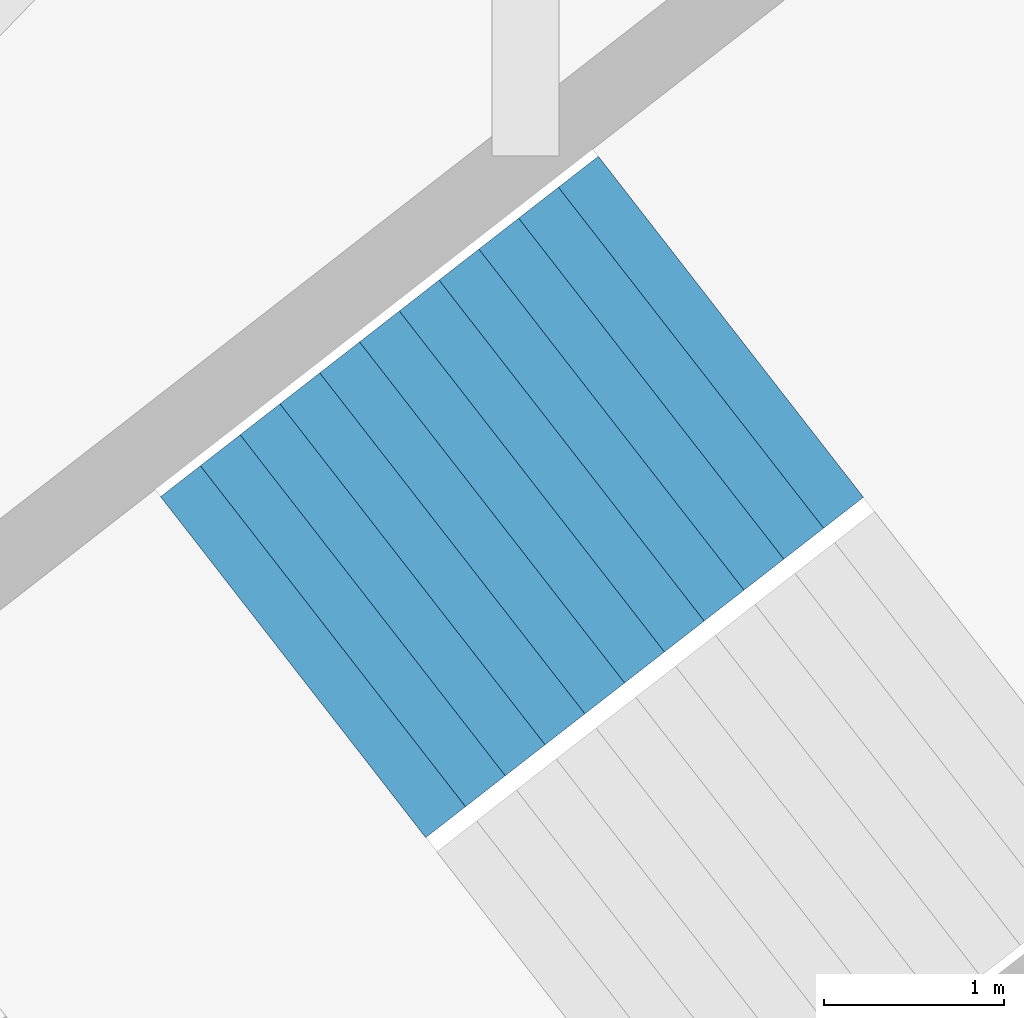
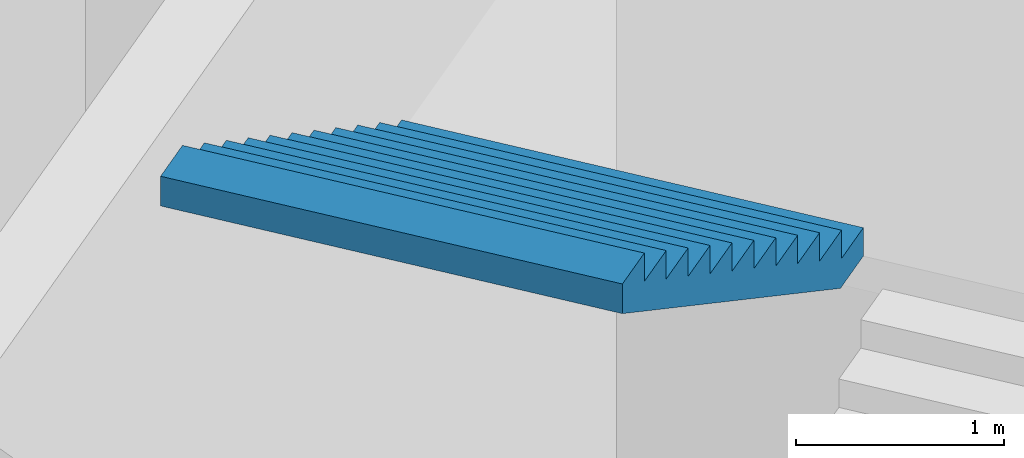
# One storey, part 65 of 74: 1 stair flight, 1 element without a shape of its own.
"""IFC4 building model written with IfcOpenShell, lengths in metres."""

from ifc_helpers import new_model, si_unit, direction, frame, origin, place, context, subcontext, project, spatial, triangles, material, type_object, element, aggregate, save


model = new_model("IFC4")

# Units and contexts
model_context = context("Model", 3, precision=1e-05, world=origin(), true_north=direction((0.0, 1.0)))
body_context = subcontext(model_context, "Body", "Model", "MODEL_VIEW")
ifc_project = project(units=[si_unit("LENGTHUNIT", "METRE"), si_unit("AREAUNIT", "SQUARE_METRE"), si_unit("VOLUMEUNIT", "CUBIC_METRE"), si_unit("PLANEANGLEUNIT", "RADIAN"), si_unit("MASSUNIT", "GRAM", prefix="KILO")], contexts=[model_context])

# Site, building, storey
site_placement = place(None, origin())
site = spatial("IfcSite", under=ifc_project, at=site_placement, CompositionType="ELEMENT")
building_placement = place(site_placement, origin())
building = spatial("IfcBuilding", under=site, at=building_placement, Name="Lantaw Convention Tower", CompositionType="ELEMENT")
storey_placement = place(building_placement, frame((0.0, 0.0, 6.5)))
storey = spatial("IfcBuildingStorey", under=building, at=storey_placement, Name="L01", CompositionType="ELEMENT", Elevation=6.5)

# Stair, stair flight
ifc_material = material(Name="Concrete C35/45", Category="concrete")
stair_type = type_object("IfcStairType", Name="Exit stair 2400 riser 166.67 in 4 flights", PredefinedType="HALF_TURN_STAIR", material=ifc_material)
stair_placement = place(storey_placement, origin())
stair = element("IfcStair", 1, at=stair_placement, inside=storey, type_object=stair_type, Name="Podium exit stair P3 L01", PredefinedType="HALF_TURN_STAIR")
stair_flight_type = type_object("IfcStairFlightType", Name="Stair flight 2400 riser 166.67", PredefinedType="STRAIGHT", material=ifc_material)
stair_flight_placement = place(storey_placement, frame((30.390869140625, 25.21875, 6.0), z_axis=(0.0, 0.0, 1.0), x_axis=(-0.789378829664, -0.613906396186, 0.0)))
stair_flight = element("IfcStairFlight", 2, at=stair_flight_placement, type_object=stair_flight_type, Name="P3 flight 4", NumberOfRisers=12, NumberOfTreads=11, PredefinedType="STRAIGHT", RiserHeight=0.166666667, TreadLength=0.28, context=body_context, shape_type="Tessellation", body=[
    triangles([(0.0, 1.199951171875, 0.0), (0.0, 1.199951171875, 0.166666667), (0.28, 1.199951171875, 0.0), (0.28, 1.199951171875, 0.166666667), (0.28, 1.199951171875, 0.333333334), (0.29307345806906726, 1.199951171875, 0.0), (0.29307345806906726, 1.199951171875, 0.333333334), (0.56, 1.199951171875, 0.15888484670522965), (0.56, 1.199951171875, 0.333333334), (0.56, 1.199951171875, 0.500000001), (0.8400000000000001, 1.199951171875, 0.3255515137052296), (0.8400000000000001, 1.199951171875, 0.500000001), (0.8400000000000001, 1.199951171875, 0.666666668), (1.12, 1.199951171875, 0.4922181807052296), (1.12, 1.199951171875, 0.666666668), (1.12, 1.199951171875, 0.833333335), (1.4000000000000001, 1.199951171875, 0.6588848477052296), (1.4000000000000001, 1.199951171875, 0.833333335), (1.4000000000000001, 1.199951171875, 1.000000002), (1.6800000000000002, 1.199951171875, 0.8255515147052296), (1.6800000000000002, 1.199951171875, 1.000000002), (1.6800000000000002, 1.199951171875, 1.166666669), (1.9600000000000002, 1.199951171875, 0.9922181817052296), (1.9600000000000002, 1.199951171875, 1.166666669), (1.9600000000000002, 1.199951171875, 1.333333336), (2.24, 1.199951171875, 1.1588848487052295), (2.24, 1.199951171875, 1.333333336), (2.24, 1.199951171875, 1.5000000029999998), (2.5200000000000005, 1.199951171875, 1.3255515157052296), (2.5200000000000005, 1.199951171875, 1.5000000029999998), (2.5200000000000005, 1.199951171875, 1.66666667), (2.8000000000000003, 1.199951171875, 1.4922181827052294), (2.8000000000000003, 1.199951171875, 1.66666667), (2.8000000000000003, 1.199951171875, 1.833333337), (3.08, 1.199951171875, 1.6588848497052293), (3.08, 1.199951171875, 1.833333337), (0.0, -1.199951171875, 0.0), (0.0, -1.199951171875, 0.166666667), (0.28, -1.199951171875, 0.0), (0.28, -1.199951171875, 0.166666667), (0.28, -1.199951171875, 0.333333334), (0.29307345806906726, -1.199951171875, 0.0), (0.29307345806906726, -1.199951171875, 0.333333334), (0.56, -1.199951171875, 0.15888484670522965), (0.56, -1.199951171875, 0.333333334), (0.56, -1.199951171875, 0.500000001), (0.8400000000000001, -1.199951171875, 0.3255515137052296), (0.8400000000000001, -1.199951171875, 0.500000001), (0.8400000000000001, -1.199951171875, 0.666666668), (1.12, -1.199951171875, 0.4922181807052296), (1.12, -1.199951171875, 0.666666668), (1.12, -1.199951171875, 0.833333335), (1.4000000000000001, -1.199951171875, 0.6588848477052296), (1.4000000000000001, -1.199951171875, 0.833333335), (1.4000000000000001, -1.199951171875, 1.000000002), (1.6800000000000002, -1.199951171875, 0.8255515147052296), (1.6800000000000002, -1.199951171875, 1.000000002), (1.6800000000000002, -1.199951171875, 1.166666669), (1.9600000000000002, -1.199951171875, 0.9922181817052296), (1.9600000000000002, -1.199951171875, 1.166666669), (1.9600000000000002, -1.199951171875, 1.333333336), (2.24, -1.199951171875, 1.1588848487052295), (2.24, -1.199951171875, 1.333333336), (2.24, -1.199951171875, 1.5000000029999998), (2.5200000000000005, -1.199951171875, 1.3255515157052296), (2.5200000000000005, -1.199951171875, 1.5000000029999998), (2.5200000000000005, -1.199951171875, 1.66666667), (2.8000000000000003, -1.199951171875, 1.4922181827052294), (2.8000000000000003, -1.199951171875, 1.66666667), (2.8000000000000003, -1.199951171875, 1.833333337), (3.08, -1.199951171875, 1.6588848497052293), (3.08, -1.199951171875, 1.833333337), (0.0, 0.239990234375, 0.166666667), (0.0, 0.239990234375, 0.0), (0.0, 0.1199951171875, 0.166666667), (0.0, 0.1199951171875, 0.0), (0.0, 0.0, 0.166666667), (0.0, 0.0, 0.0), (0.0, -0.1199951171875, 0.166666667), (0.0, -0.1199951171875, 0.0), (0.0, -0.239990234375, 0.166666667), (0.0, -0.239990234375, 0.0), (0.28, 0.239990234375, 0.333333334), (0.28, 0.239990234375, 0.166666667), (0.28, 0.1199951171875, 0.333333334), (0.28, 0.1199951171875, 0.166666667), (0.28, 0.0, 0.333333334), (0.28, 0.0, 0.166666667), (0.28, -0.1199951171875, 0.333333334), (0.28, -0.1199951171875, 0.166666667), (0.28, -0.239990234375, 0.333333334), (0.28, -0.239990234375, 0.166666667), (0.56, 0.239990234375, 0.500000001), (0.56, 0.239990234375, 0.333333334), (0.56, 0.1199951171875, 0.500000001), (0.56, 0.1199951171875, 0.333333334), (0.56, 0.0, 0.500000001), (0.56, 0.0, 0.333333334), (0.56, -0.1199951171875, 0.500000001), (0.56, -0.1199951171875, 0.333333334), (0.56, -0.239990234375, 0.500000001), (0.56, -0.239990234375, 0.333333334), (0.8400000000000001, 0.239990234375, 0.666666668), (0.8400000000000001, 0.239990234375, 0.500000001), (0.8400000000000001, 0.1199951171875, 0.666666668), (0.8400000000000001, 0.1199951171875, 0.500000001), (0.8400000000000001, 0.0, 0.666666668), (0.8400000000000001, 0.0, 0.500000001), (0.8400000000000001, -0.1199951171875, 0.666666668), (0.8400000000000001, -0.1199951171875, 0.500000001), (0.8400000000000001, -0.239990234375, 0.666666668), (0.8400000000000001, -0.239990234375, 0.500000001), (1.12, 0.239990234375, 0.833333335), (1.12, 0.239990234375, 0.666666668), (1.12, 0.1199951171875, 0.833333335), (1.12, 0.1199951171875, 0.666666668), (1.12, 0.0, 0.833333335), (1.12, 0.0, 0.666666668), (1.12, -0.1199951171875, 0.833333335), (1.12, -0.1199951171875, 0.666666668), (1.12, -0.239990234375, 0.833333335), (1.12, -0.239990234375, 0.666666668), (1.4000000000000001, 0.239990234375, 1.000000002), (1.4000000000000001, 0.239990234375, 0.833333335), (1.4000000000000001, 0.1199951171875, 1.000000002), (1.4000000000000001, 0.1199951171875, 0.833333335), (1.4000000000000001, 0.0, 1.000000002), (1.4000000000000001, 0.0, 0.833333335), (1.4000000000000001, -0.1199951171875, 1.000000002), (1.4000000000000001, -0.1199951171875, 0.833333335), (1.4000000000000001, -0.239990234375, 1.000000002), (1.4000000000000001, -0.239990234375, 0.833333335), (1.6800000000000002, 0.239990234375, 1.166666669), (1.6800000000000002, 0.239990234375, 1.000000002), (1.6800000000000002, 0.1199951171875, 1.166666669), (1.6800000000000002, 0.1199951171875, 1.000000002), (1.6800000000000002, 0.0, 1.166666669), (1.6800000000000002, 0.0, 1.000000002), (1.6800000000000002, -0.1199951171875, 1.166666669), (1.6800000000000002, -0.1199951171875, 1.000000002), (1.6800000000000002, -0.239990234375, 1.166666669), (1.6800000000000002, -0.239990234375, 1.000000002), (1.9600000000000002, 0.239990234375, 1.333333336), (1.9600000000000002, 0.239990234375, 1.166666669), (1.9600000000000002, 0.1199951171875, 1.333333336), (1.9600000000000002, 0.1199951171875, 1.166666669), (1.9600000000000002, 0.0, 1.333333336), (1.9600000000000002, 0.0, 1.166666669), (1.9600000000000002, -0.1199951171875, 1.333333336), (1.9600000000000002, -0.1199951171875, 1.166666669), (1.9600000000000002, -0.239990234375, 1.333333336), (1.9600000000000002, -0.239990234375, 1.166666669), (2.24, 0.239990234375, 1.5000000029999998), (2.24, 0.239990234375, 1.333333336), (2.24, 0.1199951171875, 1.5000000029999998), (2.24, 0.1199951171875, 1.333333336), (2.24, 0.0, 1.5000000029999998), (2.24, 0.0, 1.333333336), (2.24, -0.1199951171875, 1.5000000029999998), (2.24, -0.1199951171875, 1.333333336), (2.24, -0.239990234375, 1.5000000029999998), (2.24, -0.239990234375, 1.333333336), (2.5200000000000005, 0.239990234375, 1.66666667), (2.5200000000000005, 0.239990234375, 1.5000000029999998), (2.5200000000000005, 0.1199951171875, 1.66666667), (2.5200000000000005, 0.1199951171875, 1.5000000029999998), (2.5200000000000005, 0.0, 1.66666667), (2.5200000000000005, 0.0, 1.5000000029999998), (2.5200000000000005, -0.1199951171875, 1.66666667), (2.5200000000000005, -0.1199951171875, 1.5000000029999998), (2.5200000000000005, -0.239990234375, 1.66666667), (2.5200000000000005, -0.239990234375, 1.5000000029999998), (2.8000000000000003, 0.239990234375, 1.833333337), (2.8000000000000003, 0.239990234375, 1.66666667), (2.8000000000000003, 0.1199951171875, 1.833333337), (2.8000000000000003, 0.1199951171875, 1.66666667), (2.8000000000000003, 0.0, 1.833333337), (2.8000000000000003, 0.0, 1.66666667), (2.8000000000000003, -0.1199951171875, 1.833333337), (2.8000000000000003, -0.1199951171875, 1.66666667), (2.8000000000000003, -0.239990234375, 1.833333337), (2.8000000000000003, -0.239990234375, 1.66666667), (0.29307345806906726, 0.239990234375, 0.333333334), (0.29307345806906726, 0.1199951171875, 0.333333334), (0.29307345806906726, 0.0, 0.333333334), (0.29307345806906726, -0.1199951171875, 0.333333334), (0.29307345806906726, -0.239990234375, 0.333333334), (3.08, 0.239990234375, 1.833333337), (3.08, 0.1199951171875, 1.833333337), (3.08, 0.0, 1.833333337), (3.08, -0.1199951171875, 1.833333337), (3.08, -0.239990234375, 1.833333337), (3.08, 0.239990234375, 1.6588848497052293), (3.08, 0.1199951171875, 1.6588848497052293), (3.08, 0.0, 1.6588848497052293), (3.08, -0.1199951171875, 1.6588848497052293), (3.08, -0.239990234375, 1.6588848497052293), (2.8000000000000003, 0.239990234375, 1.4922181827052294), (2.8000000000000003, 0.1199951171875, 1.4922181827052294), (2.8000000000000003, 0.0, 1.4922181827052294), (2.8000000000000003, -0.1199951171875, 1.4922181827052294), (2.8000000000000003, -0.239990234375, 1.4922181827052294), (2.5200000000000005, 0.239990234375, 1.3255515157052296), (2.5200000000000005, 0.1199951171875, 1.3255515157052296), (2.5200000000000005, 0.0, 1.3255515157052296), (2.5200000000000005, -0.1199951171875, 1.3255515157052296), (2.5200000000000005, -0.239990234375, 1.3255515157052296), (2.24, 0.239990234375, 1.1588848487052295), (2.24, 0.1199951171875, 1.1588848487052295), (2.24, 0.0, 1.1588848487052295), (2.24, -0.1199951171875, 1.1588848487052295), (2.24, -0.239990234375, 1.1588848487052295), (1.9600000000000002, 0.239990234375, 0.9922181817052296), (1.9600000000000002, 0.1199951171875, 0.9922181817052296), (1.9600000000000002, 0.0, 0.9922181817052296), (1.9600000000000002, -0.1199951171875, 0.9922181817052296), (1.9600000000000002, -0.239990234375, 0.9922181817052296), (1.6800000000000002, 0.239990234375, 0.8255515147052296), (1.6800000000000002, 0.1199951171875, 0.8255515147052296), (1.6800000000000002, 0.0, 0.8255515147052296), (1.6800000000000002, -0.1199951171875, 0.8255515147052296), (1.6800000000000002, -0.239990234375, 0.8255515147052296), (1.4000000000000001, 0.239990234375, 0.6588848477052296), (1.4000000000000001, 0.1199951171875, 0.6588848477052296), (1.4000000000000001, 0.0, 0.6588848477052296), (1.4000000000000001, -0.1199951171875, 0.6588848477052296), (1.4000000000000001, -0.239990234375, 0.6588848477052296), (1.12, 0.239990234375, 0.4922181807052296), (1.12, 0.1199951171875, 0.4922181807052296), (1.12, 0.0, 0.4922181807052296), (1.12, -0.1199951171875, 0.4922181807052296), (1.12, -0.239990234375, 0.4922181807052296), (0.8400000000000001, 0.239990234375, 0.3255515137052296), (0.8400000000000001, 0.1199951171875, 0.3255515137052296), (0.8400000000000001, 0.0, 0.3255515137052296), (0.8400000000000001, -0.1199951171875, 0.3255515137052296), (0.8400000000000001, -0.239990234375, 0.3255515137052296), (0.56, 0.239990234375, 0.15888484670522965), (0.56, 0.1199951171875, 0.15888484670522965), (0.56, 0.0, 0.15888484670522965), (0.56, -0.1199951171875, 0.15888484670522965), (0.56, -0.239990234375, 0.15888484670522965), (0.29307345806906726, 0.239990234375, 0.0), (0.29307345806906726, 0.1199951171875, 0.0), (0.29307345806906726, 0.0, 0.0), (0.29307345806906726, -0.1199951171875, 0.0), (0.29307345806906726, -0.239990234375, 0.0), (0.28, 0.239990234375, 0.0), (0.28, 0.1199951171875, 0.0), (0.28, 0.0, 0.0), (0.28, -0.1199951171875, 0.0), (0.28, -0.239990234375, 0.0)], [[1, 4, 3], [1, 2, 4], [3, 4, 6], [4, 7, 6], [4, 5, 7], [6, 9, 8], [6, 7, 9], [8, 9, 11], [9, 12, 11], [9, 10, 12], [11, 12, 14], [12, 15, 14], [12, 13, 15], [14, 15, 17], [15, 18, 17], [15, 16, 18], [17, 18, 20], [18, 21, 20], [18, 19, 21], [20, 21, 23], [21, 24, 23], [21, 22, 24], [23, 24, 26], [24, 27, 26], [24, 25, 27], [26, 27, 29], [27, 30, 29], [27, 28, 30], [29, 30, 32], [30, 33, 32], [30, 31, 33], [32, 33, 35], [33, 36, 35], [33, 34, 36], [37, 39, 40], [37, 40, 38], [39, 42, 40], [40, 42, 43], [40, 43, 41], [42, 44, 45], [42, 45, 43], [44, 47, 45], [45, 47, 48], [45, 48, 46], [47, 50, 48], [48, 50, 51], [48, 51, 49], [50, 53, 51], [51, 53, 54], [51, 54, 52], [53, 56, 54], [54, 56, 57], [54, 57, 55], [56, 59, 57], [57, 59, 60], [57, 60, 58], [59, 62, 60], [60, 62, 63], [60, 63, 61], [62, 65, 63], [63, 65, 66], [63, 66, 64], [65, 68, 66], [66, 68, 69], [66, 69, 67], [68, 71, 69], [69, 71, 72], [69, 72, 70], [1, 73, 2], [1, 74, 73], [74, 75, 73], [74, 76, 75], [76, 77, 75], [76, 78, 77], [78, 79, 77], [78, 80, 79], [80, 81, 79], [80, 82, 81], [82, 38, 81], [82, 37, 38], [4, 83, 5], [4, 84, 83], [84, 85, 83], [84, 86, 85], [86, 87, 85], [86, 88, 87], [88, 89, 87], [88, 90, 89], [90, 91, 89], [90, 92, 91], [92, 41, 91], [92, 40, 41], [9, 93, 10], [9, 94, 93], [94, 95, 93], [94, 96, 95], [96, 97, 95], [96, 98, 97], [98, 99, 97], [98, 100, 99], [100, 101, 99], [100, 102, 101], [102, 46, 101], [102, 45, 46], [12, 103, 13], [12, 104, 103], [104, 105, 103], [104, 106, 105], [106, 107, 105], [106, 108, 107], [108, 109, 107], [108, 110, 109], [110, 111, 109], [110, 112, 111], [112, 49, 111], [112, 48, 49], [15, 113, 16], [15, 114, 113], [114, 115, 113], [114, 116, 115], [116, 117, 115], [116, 118, 117], [118, 119, 117], [118, 120, 119], [120, 121, 119], [120, 122, 121], [122, 52, 121], [122, 51, 52], [18, 123, 19], [18, 124, 123], [124, 125, 123], [124, 126, 125], [126, 127, 125], [126, 128, 127], [128, 129, 127], [128, 130, 129], [130, 131, 129], [130, 132, 131], [132, 55, 131], [132, 54, 55], [21, 133, 22], [21, 134, 133], [134, 135, 133], [134, 136, 135], [136, 137, 135], [136, 138, 137], [138, 139, 137], [138, 140, 139], [140, 141, 139], [140, 142, 141], [142, 58, 141], [142, 57, 58], [24, 143, 25], [24, 144, 143], [144, 145, 143], [144, 146, 145], [146, 147, 145], [146, 148, 147], [148, 149, 147], [148, 150, 149], [150, 151, 149], [150, 152, 151], [152, 61, 151], [152, 60, 61], [27, 153, 28], [27, 154, 153], [154, 155, 153], [154, 156, 155], [156, 157, 155], [156, 158, 157], [158, 159, 157], [158, 160, 159], [160, 161, 159], [160, 162, 161], [162, 64, 161], [162, 63, 64], [30, 163, 31], [30, 164, 163], [164, 165, 163], [164, 166, 165], [166, 167, 165], [166, 168, 167], [168, 169, 167], [168, 170, 169], [170, 171, 169], [170, 172, 171], [172, 67, 171], [172, 66, 67], [33, 173, 34], [33, 174, 173], [174, 175, 173], [174, 176, 175], [176, 177, 175], [176, 178, 177], [178, 179, 177], [178, 180, 179], [180, 181, 179], [180, 182, 181], [182, 70, 181], [182, 69, 70], [2, 84, 4], [2, 73, 84], [73, 86, 84], [73, 75, 86], [75, 88, 86], [75, 77, 88], [77, 90, 88], [77, 79, 90], [79, 92, 90], [79, 81, 92], [81, 40, 92], [81, 38, 40], [5, 183, 7], [5, 83, 183], [83, 184, 183], [83, 85, 184], [85, 185, 184], [85, 87, 185], [87, 186, 185], [87, 89, 186], [89, 187, 186], [89, 91, 187], [91, 43, 187], [91, 41, 43], [7, 94, 9], [7, 183, 94], [183, 96, 94], [183, 184, 96], [184, 98, 96], [184, 185, 98], [185, 100, 98], [185, 186, 100], [186, 102, 100], [186, 187, 102], [187, 45, 102], [187, 43, 45], [10, 104, 12], [10, 93, 104], [93, 106, 104], [93, 95, 106], [95, 108, 106], [95, 97, 108], [97, 110, 108], [97, 99, 110], [99, 112, 110], [99, 101, 112], [101, 48, 112], [101, 46, 48], [13, 114, 15], [13, 103, 114], [103, 116, 114], [103, 105, 116], [105, 118, 116], [105, 107, 118], [107, 120, 118], [107, 109, 120], [109, 122, 120], [109, 111, 122], [111, 51, 122], [111, 49, 51], [16, 124, 18], [16, 113, 124], [113, 126, 124], [113, 115, 126], [115, 128, 126], [115, 117, 128], [117, 130, 128], [117, 119, 130], [119, 132, 130], [119, 121, 132], [121, 54, 132], [121, 52, 54], [19, 134, 21], [19, 123, 134], [123, 136, 134], [123, 125, 136], [125, 138, 136], [125, 127, 138], [127, 140, 138], [127, 129, 140], [129, 142, 140], [129, 131, 142], [131, 57, 142], [131, 55, 57], [22, 144, 24], [22, 133, 144], [133, 146, 144], [133, 135, 146], [135, 148, 146], [135, 137, 148], [137, 150, 148], [137, 139, 150], [139, 152, 150], [139, 141, 152], [141, 60, 152], [141, 58, 60], [25, 154, 27], [25, 143, 154], [143, 156, 154], [143, 145, 156], [145, 158, 156], [145, 147, 158], [147, 160, 158], [147, 149, 160], [149, 162, 160], [149, 151, 162], [151, 63, 162], [151, 61, 63], [28, 164, 30], [28, 153, 164], [153, 166, 164], [153, 155, 166], [155, 168, 166], [155, 157, 168], [157, 170, 168], [157, 159, 170], [159, 172, 170], [159, 161, 172], [161, 66, 172], [161, 64, 66], [31, 174, 33], [31, 163, 174], [163, 176, 174], [163, 165, 176], [165, 178, 176], [165, 167, 178], [167, 180, 178], [167, 169, 180], [169, 182, 180], [169, 171, 182], [171, 69, 182], [171, 67, 69], [34, 188, 36], [34, 173, 188], [173, 189, 188], [173, 175, 189], [175, 190, 189], [175, 177, 190], [177, 191, 190], [177, 179, 191], [179, 192, 191], [179, 181, 192], [181, 72, 192], [181, 70, 72], [36, 193, 35], [36, 188, 193], [188, 194, 193], [188, 189, 194], [189, 195, 194], [189, 190, 195], [190, 196, 195], [190, 191, 196], [191, 197, 196], [191, 192, 197], [192, 71, 197], [192, 72, 71], [35, 198, 32], [35, 193, 198], [193, 199, 198], [193, 194, 199], [194, 200, 199], [194, 195, 200], [195, 201, 200], [195, 196, 201], [196, 202, 201], [196, 197, 202], [197, 68, 202], [197, 71, 68], [32, 203, 29], [32, 198, 203], [198, 204, 203], [198, 199, 204], [199, 205, 204], [199, 200, 205], [200, 206, 205], [200, 201, 206], [201, 207, 206], [201, 202, 207], [202, 65, 207], [202, 68, 65], [29, 208, 26], [29, 203, 208], [203, 209, 208], [203, 204, 209], [204, 210, 209], [204, 205, 210], [205, 211, 210], [205, 206, 211], [206, 212, 211], [206, 207, 212], [207, 62, 212], [207, 65, 62], [26, 213, 23], [26, 208, 213], [208, 214, 213], [208, 209, 214], [209, 215, 214], [209, 210, 215], [210, 216, 215], [210, 211, 216], [211, 217, 216], [211, 212, 217], [212, 59, 217], [212, 62, 59], [23, 218, 20], [23, 213, 218], [213, 219, 218], [213, 214, 219], [214, 220, 219], [214, 215, 220], [215, 221, 220], [215, 216, 221], [216, 222, 221], [216, 217, 222], [217, 56, 222], [217, 59, 56], [20, 223, 17], [20, 218, 223], [218, 224, 223], [218, 219, 224], [219, 225, 224], [219, 220, 225], [220, 226, 225], [220, 221, 226], [221, 227, 226], [221, 222, 227], [222, 53, 227], [222, 56, 53], [17, 228, 14], [17, 223, 228], [223, 229, 228], [223, 224, 229], [224, 230, 229], [224, 225, 230], [225, 231, 230], [225, 226, 231], [226, 232, 231], [226, 227, 232], [227, 50, 232], [227, 53, 50], [14, 233, 11], [14, 228, 233], [228, 234, 233], [228, 229, 234], [229, 235, 234], [229, 230, 235], [230, 236, 235], [230, 231, 236], [231, 237, 236], [231, 232, 237], [232, 47, 237], [232, 50, 47], [11, 238, 8], [11, 233, 238], [233, 239, 238], [233, 234, 239], [234, 240, 239], [234, 235, 240], [235, 241, 240], [235, 236, 241], [236, 242, 241], [236, 237, 242], [237, 44, 242], [237, 47, 44], [8, 243, 6], [8, 238, 243], [238, 244, 243], [238, 239, 244], [239, 245, 244], [239, 240, 245], [240, 246, 245], [240, 241, 246], [241, 247, 246], [241, 242, 247], [242, 42, 247], [242, 44, 42], [6, 248, 3], [6, 243, 248], [243, 249, 248], [243, 244, 249], [244, 250, 249], [244, 245, 250], [245, 251, 250], [245, 246, 251], [246, 252, 251], [246, 247, 252], [247, 39, 252], [247, 42, 39], [3, 74, 1], [3, 248, 74], [248, 76, 74], [248, 249, 76], [249, 78, 76], [249, 250, 78], [250, 80, 78], [250, 251, 80], [251, 82, 80], [251, 252, 82], [252, 37, 82], [252, 39, 37]], closed=True),
])
aggregate(stair, [stair_flight])

save(model, "model.ifc")
